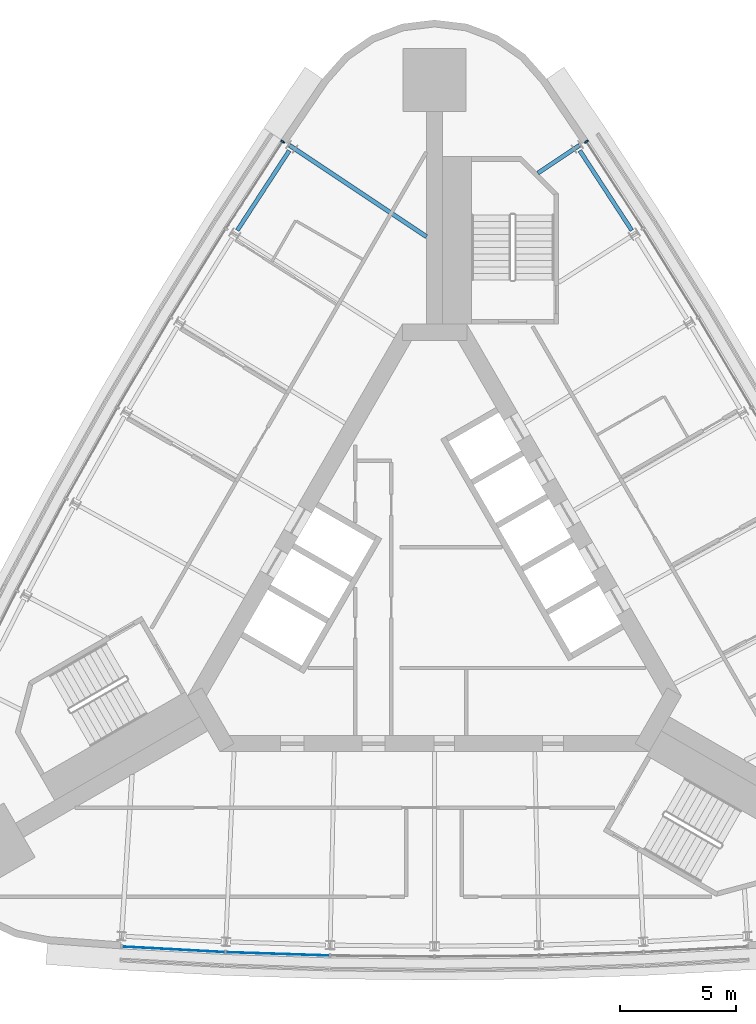
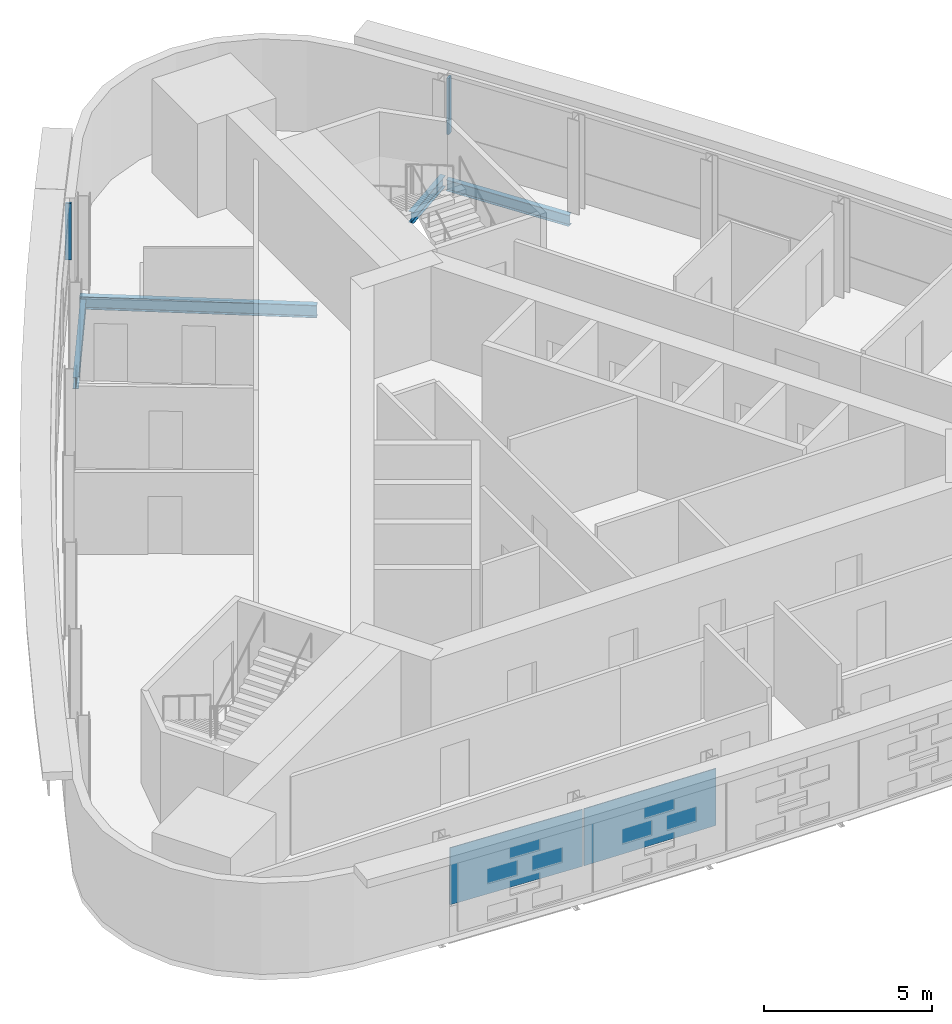
# One storey, part 5 of 10: 4 beams, 2 members, 2 plates, 3 elements without a shape of their own.
"""IFC4 building model written with IfcOpenShell, lengths in metres."""

from ifc_helpers import new_model, si_unit, direction, frame, origin, origin_2d, place, context, subcontext, project, spatial, rectangle, i_section, extrude, material, layer, layer_set, material_profile, profile_set, type_object, element, aggregate, save


model = new_model("IFC4")

# Units and contexts
model_context = context("Model", 3, precision=1e-05, world=origin(), true_north=direction((0.0, 1.0)))
body_context = subcontext(model_context, "Body", "Model", "MODEL_VIEW")
ifc_project = project(units=[si_unit("LENGTHUNIT", "METRE"), si_unit("AREAUNIT", "SQUARE_METRE"), si_unit("VOLUMEUNIT", "CUBIC_METRE"), si_unit("PLANEANGLEUNIT", "RADIAN"), si_unit("MASSUNIT", "GRAM", prefix="KILO")], contexts=[model_context])

# Site, building, storey
site_placement = place(None, origin())
site = spatial("IfcSite", under=ifc_project, at=site_placement, CompositionType="ELEMENT")
building_placement = place(site_placement, origin())
building = spatial("IfcBuilding", under=site, at=building_placement, Name="Noor Cloister Tower", CompositionType="ELEMENT")
storey_placement = place(building_placement, frame((0.0, 0.0, 199.5)))
storey = spatial("IfcBuildingStorey", under=building, at=storey_placement, Name="L51", CompositionType="ELEMENT", Elevation=199.5)

# Curtain wall, member
ifc_material_1 = material(Name="Aluminium 6063-T6 anodised", Category="aluminium")
curtain_wall_type = type_object("IfcCurtainWallType", Name="Ribbon curtain wall, upper tower CW5", PredefinedType="NOTDEFINED", material=ifc_material_1)
curtain_wall_1_placement = place(storey_placement, origin())
curtain_wall_1 = element("IfcCurtainWall", 1, at=curtain_wall_1_placement, inside=storey, type_object=curtain_wall_type, Name="CW5 L51 NW run 1", PredefinedType="NOTDEFINED")
ifc_material_2 = material(Name="Aluminium 6063-T6 anodised", Category="aluminium")
ifc_material_profile_1 = material_profile(ifc_material_2, rectangle(XDim=0.179931640625, YDim=0.070068359375, at=origin_2d()), Name="180 x 70 mullion")
ifc_profile_set_1 = profile_set([ifc_material_profile_1], Name="Aluminium 6063-T6 anodised")
member_type = type_object("IfcMemberType", Name="Mullion CW5 70 x 180", PredefinedType="MULLION", material=ifc_profile_set_1)
member_1_placement = place(storey_placement, frame((-6.530517578125, 19.30126953125, 1.10009765625), z_axis=(0.0, 0.0, 1.0), x_axis=(0.837721175681, -0.546098188804, 0.0)))
member_1 = element("IfcMember", 2, at=member_1_placement, type_object=member_type, Name="CW5 mullion 1", PredefinedType="MULLION", context=body_context, shape_type="SweptSolid", body=[
    extrude(rectangle(XDim=0.179931640625, YDim=0.070068359375, at=origin_2d()), origin(), (0.0, 0.0, 1.0), 2.0498046875),
])
aggregate(curtain_wall_1, [member_1])

curtain_wall_2_placement = place(storey_placement, origin())
curtain_wall_2 = element("IfcCurtainWall", 3, at=curtain_wall_2_placement, inside=storey, type_object=curtain_wall_type, Name="CW5 L51 NE run 3", PredefinedType="NOTDEFINED")
member_2_placement = place(storey_placement, frame((6.530517578125, 19.30126953125, 1.10009765625), z_axis=(0.0, 0.0, 1.0), x_axis=(-0.837721175681, -0.546098188804, 0.0)))
member_2 = element("IfcMember", 4, at=member_2_placement, type_object=member_type, Name="CW5 mullion 7", PredefinedType="MULLION", context=body_context, shape_type="SweptSolid", body=[
    extrude(rectangle(XDim=0.179931640625, YDim=0.070068359375, at=origin_2d()), origin(), (0.0, 0.0, 1.0), 2.0498046875),
])
aggregate(curtain_wall_2, [member_2])

# Beams
ifc_material_3 = material(Name="Steel ASTM A992 Gr 50", Category="steel")
ifc_material_profile_2 = material_profile(ifc_material_3, i_section(OverallWidth=0.177978515625, OverallDepth=0.406005859375, WebThickness=0.0078125, FlangeThickness=0.0126953125, FilletRadius=0.01025390625, at=origin_2d()), Name="W410x60")
ifc_profile_set_2 = profile_set([ifc_material_profile_2], Name="Steel ASTM A992 Gr 50")
beam_type_1 = type_object("IfcBeamType", Name="Radial beam W410x60", PredefinedType="BEAM", material=ifc_profile_set_2)
beam_1_placement = place(storey_placement, frame((6.230712890625, 19.14208984375, -0.403076171875), z_axis=(-0.831753076632, -0.555145764204, 0.0), x_axis=(0.555145764204, -0.831753076632, 0.0)))
element("IfcBeam", 5, at=beam_1_placement, inside=storey, type_object=beam_type_1, Name="Radial beam NE 07 L51", PredefinedType="BEAM", context=body_context, shape_type="SweptSolid", body=[
    extrude(i_section(OverallWidth=0.177978515625, OverallDepth=0.406005859375, WebThickness=0.0078125, FlangeThickness=0.0126953125, FilletRadius=0.01025390625, at=origin_2d()), origin(), (0.0, 0.0, 1.0), 2.149169921875),
])
ifc_material_4 = material(Name="Steel ASTM A992 Gr 50", Category="steel")
ifc_material_profile_3 = material_profile(ifc_material_4, i_section(OverallWidth=0.19091796875, OverallDepth=0.45703125, WebThickness=0.009033203125, FlangeThickness=0.014404296875, FilletRadius=0.01025390625, at=origin_2d()), Name="W460x74")
ifc_profile_set_3 = profile_set([ifc_material_profile_3], Name="Steel ASTM A992 Gr 50")
beam_type_2 = type_object("IfcBeamType", Name="Radial beam W460x74", PredefinedType="BEAM", material=ifc_profile_set_3)
beam_2_placement = place(storey_placement, frame((-6.230712890625, 19.14208984375, -0.428466796875), z_axis=(0.831747360357, -0.555154328578, 0.0), x_axis=(0.555154328578, 0.831747360357, 0.0)))
element("IfcBeam", 6, at=beam_2_placement, inside=storey, type_object=beam_type_2, Name="Radial beam NW 01 L51", PredefinedType="BEAM", context=body_context, shape_type="SweptSolid", body=[
    extrude(i_section(OverallWidth=0.19091796875, OverallDepth=0.45703125, WebThickness=0.009033203125, FlangeThickness=0.014404296875, FilletRadius=0.01025390625, at=origin_2d()), origin(), (0.0, 0.0, 1.0), 7.0703125),
])
ifc_material_5 = material(Name="Steel ASTM A992 Gr 50", Category="steel")
ifc_material_profile_4 = material_profile(ifc_material_5, i_section(OverallWidth=0.177978515625, OverallDepth=0.406005859375, WebThickness=0.0078125, FlangeThickness=0.0126953125, FilletRadius=0.01025390625, at=origin_2d()), Name="W410x60")
ifc_profile_set_4 = profile_set([ifc_material_profile_4], Name="Steel ASTM A992 Gr 50")
beam_type_3 = type_object("IfcBeamType", Name="Spandrel beam W410x60", PredefinedType="SPANDREL", material=ifc_profile_set_4)
for number, where, z_axis, x_axis, name in (
    (7, (-6.2451171875, 18.914794921875, -0.403076171875), (-0.546111335455, -0.837712605425, 0.0), (0.837712605425, -0.546111335455, 0.0), "Spandrel beam NW 01 L51"),
    (8, (8.48095703125, 15.485107421875, -0.403076171875), (-0.546111335455, 0.837712605425, 0.0), (-0.837712605425, -0.546111335455, 0.0), "Spandrel beam NE 06 L51"),
):
    element("IfcBeam", number, at=place(storey_placement, frame(where, z_axis=z_axis, x_axis=x_axis)), inside=storey, type_object=beam_type_3, Name=name, PredefinedType="SPANDREL", context=body_context, shape_type="SweptSolid", body=[
        extrude(i_section(OverallWidth=0.177978515625, OverallDepth=0.406005859375, WebThickness=0.0078125, FlangeThickness=0.0126953125, FilletRadius=0.01025390625, at=origin_2d()), origin(), (0.0, 0.0, 1.0), 4.093994140625),
    ])

# Curtain wall, plates
curtain_wall_3_placement = place(storey_placement, origin())
curtain_wall_3 = element("IfcCurtainWall", 9, at=curtain_wall_3_placement, inside=storey, type_object=curtain_wall_type, Name="CW5 L51 S run 2", PredefinedType="NOTDEFINED")
ifc_material_6 = material(Name="Clear laminated glass 2 x 8 mm", Category="glass")
ifc_layer = layer(ifc_material_6, 0.028076171875)
ifc_layer_set = layer_set([ifc_layer], Name="Glass panel CW5")
plate_type = type_object("IfcPlateType", Name="Glass panel CW5", PredefinedType="CURTAIN_PANEL", material=ifc_layer_set)
plate_1_placement = place(storey_placement, frame((-11.221435546875, -15.4267578125, 1.08984375), z_axis=(0.0, 0.0, 1.0), x_axis=(0.99853691383, -0.054074316624, 0.0)))
plate_1 = element("IfcPlate", 10, at=plate_1_placement, type_object=plate_type, Name="CW5 glass panel 1", PredefinedType="CURTAIN_PANEL", context=body_context, shape_type="SweptSolid", body=[
    extrude(rectangle(XDim=4.413818359375, YDim=0.028076171875, at=origin_2d()), origin(), (0.0, 0.0, 1.0), 2.070068359375),
])
plate_2_placement = place(storey_placement, frame((-6.7451171875, -15.62060546875, 1.08984375), z_axis=(0.0, 0.0, 1.0), x_axis=(0.999473206863, -0.032454718651, 0.0)))
plate_2 = element("IfcPlate", 11, at=plate_2_placement, type_object=plate_type, Name="CW5 glass panel 2", PredefinedType="CURTAIN_PANEL", context=body_context, shape_type="SweptSolid", body=[
    extrude(rectangle(XDim=4.44775390625, YDim=0.028076171875, at=origin_2d()), origin(), (0.0, 0.0, 1.0), 2.070068359375),
])
aggregate(curtain_wall_3, [plate_1, plate_2])

save(model, "model.ifc")
